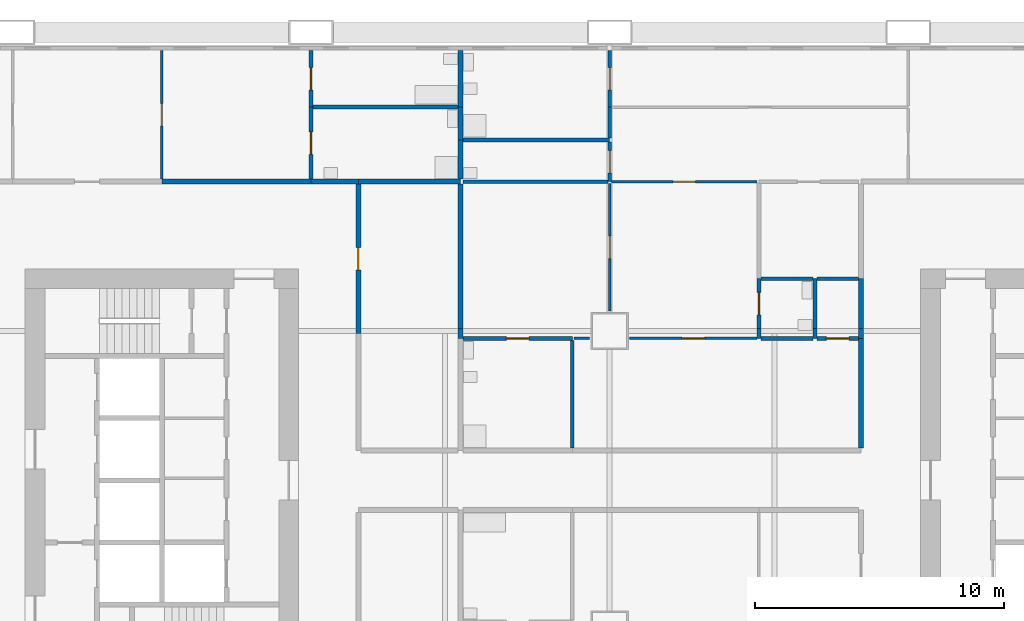
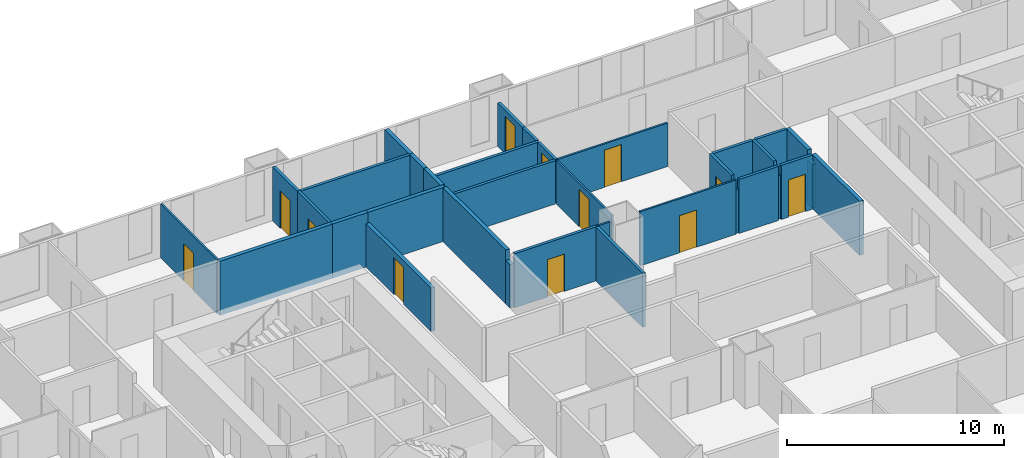
# One storey, part 9 of 14: 35 walls, 12 doors, 12 openings.
"""IFC4 building model written with IfcOpenShell, lengths in metres."""

from ifc_helpers import new_model, si_unit, direction, frame, frame_2d, origin, place, context, subcontext, project, spatial, rectangle, extrude, material, layer, layer_set, type_object, element, fill, save


model = new_model("IFC4")

# Units and contexts
model_context = context("Model", 3, precision=1e-05, world=origin(), true_north=direction((0.0, 1.0)))
body_context = subcontext(model_context, "Body", "Model", "MODEL_VIEW")
ifc_project = project(units=[si_unit("LENGTHUNIT", "METRE"), si_unit("AREAUNIT", "SQUARE_METRE"), si_unit("VOLUMEUNIT", "CUBIC_METRE"), si_unit("PLANEANGLEUNIT", "RADIAN"), si_unit("MASSUNIT", "GRAM", prefix="KILO")], contexts=[model_context])

# Site, building, storey
site_placement = place(None, origin())
site = spatial("IfcSite", under=ifc_project, at=site_placement, CompositionType="ELEMENT")
building_placement = place(site_placement, origin())
building = spatial("IfcBuilding", under=site, at=building_placement, Name="Kitamizu Gate Tower and Museum", CompositionType="ELEMENT")
storey_placement = place(building_placement, frame((0.0, 0.0, 43.800048828125)))
storey = spatial("IfcBuildingStorey", under=building, at=storey_placement, Name="L09", CompositionType="ELEMENT", Elevation=43.800048828125)

# Wall, opening, door
ifc_material_1 = material(Name="Gypsum board on galvanised stud")
ifc_layer_1 = layer(ifc_material_1, 0.10009765625)
ifc_layer_set_1 = layer_set([ifc_layer_1], Name="Gypsum board on galvanised stud")
wall_type_1 = type_object("IfcWallType", Name="Partition 100 NOT RATED", PredefinedType="PARTITIONING", material=ifc_layer_set_1)
wall_1_placement = place(storey_placement, frame((18.0, 42.10009765625, 0.0), z_axis=(0.0, 0.0, 1.0), x_axis=(0.0, 1.0, 0.0)))
wall_1 = element("IfcWall", 1, at=wall_1_placement, inside=storey, type_object=wall_type_1, Name="Partition L09-117", PredefinedType="PARTITIONING", context=body_context, shape_type="SweptSolid", body=[
    extrude(rectangle(XDim=5.179931640625, YDim=0.10009765625, at=frame_2d((2.58984375, 0.0))), origin(), (0.0, 0.0, 1.0), 3.050048828125),
])
opening_1_placement = place(wall_1_placement, frame((2.139892578125, 0.0, 0.0)))
opening_1 = element("IfcOpeningElement", 2, at=opening_1_placement, cuts=wall_1, Name="Opening L09-044", PredefinedType="OPENING", context=body_context, shape_type="SweptSolid", body=[
    extrude(rectangle(XDim=0.89990234375, YDim=2.10009765625, at=frame_2d((0.449951171875, 1.050048828125))), frame((0.0, 0.06005859375, 0.0), z_axis=(0.0, -1.0, 0.0), x_axis=(1.0, 0.0, 0.0)), (0.0, 0.0, 1.0), 0.1201171875),
])
ifc_material_2 = material(Name="Timber door set", Category="wood")
door_type_1 = type_object("IfcDoorType", Name="Room door 900", OperationType="NOTDEFINED", PredefinedType="DOOR", material=ifc_material_2)
door_1_placement = place(opening_1_placement, frame((0.89990234375, 0.0, 0.0), x_axis=(-1.0, 0.0, 0.0)))
door_1 = element("IfcDoor", 3, at=door_1_placement, inside=storey, type_object=door_type_1, Name="Door L09-044", OperationType="SINGLE_SWING_LEFT", OverallHeight=2.10009765625, OverallWidth=0.89990234375, PredefinedType="DOOR", context=body_context, shape_type="SweptSolid", body=[
    extrude(rectangle(XDim=0.89990234375, YDim=2.10009765625, at=frame_2d((0.449951171875, 1.050048828125))), frame((0.0, 0.02490234375, 0.0), z_axis=(0.0, -1.0, 0.0), x_axis=(1.0, 0.0, 0.0)), (0.0, 0.0, 1.0), 0.050048828125),
])
fill(opening_1, door_1)

wall_2_placement = place(storey_placement, frame((36.074951171875, 42.0, 0.0), z_axis=(0.0, 0.0, 1.0), x_axis=(1.0, 0.0, 0.0)))
wall_2 = element("IfcWall", 4, at=wall_2_placement, inside=storey, type_object=wall_type_1, Name="Partition L09-160", PredefinedType="PARTITIONING", context=body_context, shape_type="SweptSolid", body=[
    extrude(rectangle(XDim=5.85009765625, YDim=0.10009765625, at=frame_2d((2.925048828125, 0.0))), origin(), (0.0, 0.0, 1.0), 2.449951171875),
])
opening_2_placement = place(wall_2_placement, frame((2.47509765625, 0.0, 0.0)))
opening_2 = element("IfcOpeningElement", 5, at=opening_2_placement, cuts=wall_2, Name="Opening L09-060", PredefinedType="OPENING", context=body_context, shape_type="SweptSolid", body=[
    extrude(rectangle(XDim=0.89990234375, YDim=2.10009765625, at=frame_2d((0.449951171875, 1.050048828125))), frame((0.0, 0.06005859375, 0.0), z_axis=(0.0, -1.0, 0.0), x_axis=(1.0, 0.0, 0.0)), (0.0, 0.0, 1.0), 0.1201171875),
])
door_2_placement = place(opening_2_placement, origin())
door_2 = element("IfcDoor", 6, at=door_2_placement, inside=storey, type_object=door_type_1, Name="Door L09-060", OperationType="SINGLE_SWING_LEFT", OverallHeight=2.10009765625, OverallWidth=0.89990234375, PredefinedType="DOOR", context=body_context, shape_type="SweptSolid", body=[
    extrude(rectangle(XDim=0.89990234375, YDim=2.10009765625, at=frame_2d((0.449951171875, 1.050048828125))), frame((0.0, 0.02490234375, 0.0), z_axis=(0.0, -1.0, 0.0), x_axis=(1.0, 0.0, 0.0)), (0.0, 0.0, 1.0), 0.050048828125),
])
fill(opening_2, door_2)

wall_3_placement = place(storey_placement, frame((36.0, 36.800048828125, 0.0), z_axis=(0.0, 0.0, 1.0), x_axis=(0.0, 1.0, 0.0)))
wall_3 = element("IfcWall", 7, at=wall_3_placement, inside=storey, type_object=wall_type_1, Name="Partition L09-170", PredefinedType="PARTITIONING", context=body_context, shape_type="SweptSolid", body=[
    extrude(rectangle(XDim=5.125, YDim=0.10009765625, at=frame_2d((2.5625, 0.0))), origin(), (0.0, 0.0, 1.0), 2.449951171875),
])
opening_3_placement = place(wall_3_placement, frame((2.112548828125, 0.0, 0.0)))
opening_3 = element("IfcOpeningElement", 8, at=opening_3_placement, cuts=wall_3, Name="Opening L09-066", PredefinedType="OPENING", context=body_context, shape_type="SweptSolid", body=[
    extrude(rectangle(XDim=0.89990234375, YDim=2.10009765625, at=frame_2d((0.449951171875, 1.050048828125))), frame((0.0, 0.06005859375, 0.0), z_axis=(0.0, -1.0, 0.0), x_axis=(1.0, 0.0, 0.0)), (0.0, 0.0, 1.0), 0.1201171875),
])
door_3_placement = place(opening_3_placement, origin())
door_3 = element("IfcDoor", 9, at=door_3_placement, inside=storey, type_object=door_type_1, Name="Door L09-066", OperationType="SINGLE_SWING_LEFT", OverallHeight=2.10009765625, OverallWidth=0.89990234375, PredefinedType="DOOR", context=body_context, shape_type="SweptSolid", body=[
    extrude(rectangle(XDim=0.89990234375, YDim=2.10009765625, at=frame_2d((0.449951171875, 1.050048828125))), frame((0.0, 0.02490234375, 0.0), z_axis=(0.0, -1.0, 0.0), x_axis=(1.0, 0.0, 0.0)), (0.0, 0.0, 1.0), 0.050048828125),
])
fill(opening_3, door_3)

# Wall
wall_4_placement = place(storey_placement, frame((34.574951171875, 35.699951171875, 0.0), z_axis=(0.0, 0.0, 1.0), x_axis=(1.0, 0.0, 0.0)))
element("IfcWall", 10, at=wall_4_placement, inside=storey, type_object=wall_type_1, Name="Partition L09-172", PredefinedType="PARTITIONING", context=body_context, shape_type="SweptSolid", body=[
    extrude(rectangle(XDim=0.625, YDim=0.10009765625, at=frame_2d((0.3125, 0.0))), origin(), (0.0, 0.0, 1.0), 3.050048828125),
])

# Wall, opening, door
wall_5_placement = place(storey_placement, frame((36.800048828125, 35.699951171875, 0.0), z_axis=(0.0, 0.0, 1.0), x_axis=(1.0, 0.0, 0.0)))
wall_5 = element("IfcWall", 11, at=wall_5_placement, inside=storey, type_object=wall_type_1, Name="Partition L09-176", PredefinedType="PARTITIONING", context=body_context, shape_type="SweptSolid", body=[
    extrude(rectangle(XDim=5.125, YDim=0.10009765625, at=frame_2d((2.5625, 0.0))), origin(), (0.0, 0.0, 1.0), 3.050048828125),
])
opening_4_placement = place(wall_5_placement, frame((2.112548828125, 0.0, 0.0)))
opening_4 = element("IfcOpeningElement", 12, at=opening_4_placement, cuts=wall_5, Name="Opening L09-063", PredefinedType="OPENING", context=body_context, shape_type="SweptSolid", body=[
    extrude(rectangle(XDim=0.89990234375, YDim=2.10009765625, at=frame_2d((0.449951171875, 1.050048828125))), frame((0.0, 0.06005859375, 0.0), z_axis=(0.0, -1.0, 0.0), x_axis=(1.0, 0.0, 0.0)), (0.0, 0.0, 1.0), 0.1201171875),
])
door_4_placement = place(opening_4_placement, origin())
door_4 = element("IfcDoor", 13, at=door_4_placement, inside=storey, type_object=door_type_1, Name="Door L09-063", OperationType="SINGLE_SWING_LEFT", OverallHeight=2.10009765625, OverallWidth=0.89990234375, PredefinedType="DOOR", context=body_context, shape_type="SweptSolid", body=[
    extrude(rectangle(XDim=0.89990234375, YDim=2.10009765625, at=frame_2d((0.449951171875, 1.050048828125))), frame((0.0, 0.02490234375, 0.0), z_axis=(0.0, -1.0, 0.0), x_axis=(1.0, 0.0, 0.0)), (0.0, 0.0, 1.0), 0.050048828125),
])
fill(opening_4, door_4)

ifc_material_3 = material(Name="Gypsum board on galvanised stud")
ifc_layer_2 = layer(ifc_material_3, 0.14990234375)
ifc_layer_set_2 = layer_set([ifc_layer_2], Name="Gypsum board on galvanised stud")
wall_type_2 = type_object("IfcWallType", Name="Partition 150", PredefinedType="PARTITIONING", material=ifc_layer_set_2)
wall_6_placement = place(storey_placement, frame((24.0, 42.10009765625, 0.0), z_axis=(0.0, 0.0, 1.0), x_axis=(0.0, 1.0, 0.0)))
wall_6 = element("IfcWall", 14, at=wall_6_placement, inside=storey, type_object=wall_type_2, Name="Partition L09-119", PredefinedType="PARTITIONING", context=body_context, shape_type="SweptSolid", body=[
    extrude(rectangle(XDim=2.89990234375, YDim=0.14990234375, at=frame_2d((1.449951171875, 0.0))), origin(), (0.0, 0.0, 1.0), 3.050048828125),
])
opening_5_placement = place(wall_6_placement, frame((1.0, 0.0, 0.0)))
opening_5 = element("IfcOpeningElement", 15, at=opening_5_placement, cuts=wall_6, Name="Opening L09-045", PredefinedType="OPENING", context=body_context, shape_type="SweptSolid", body=[
    extrude(rectangle(XDim=0.89990234375, YDim=2.10009765625, at=frame_2d((0.449951171875, 1.050048828125))), frame((0.0, 0.0849609375, 0.0), z_axis=(0.0, -1.0, 0.0), x_axis=(1.0, 0.0, 0.0)), (0.0, 0.0, 1.0), 0.169921875),
])
ifc_material_4 = material(Name="Timber door set", Category="wood")
door_type_2 = type_object("IfcDoorType", Name="Bathroom door 900", OperationType="NOTDEFINED", PredefinedType="DOOR", material=ifc_material_4)
door_5_placement = place(opening_5_placement, frame((0.89990234375, 0.0, 0.0), x_axis=(-1.0, 0.0, 0.0)))
door_5 = element("IfcDoor", 16, at=door_5_placement, inside=storey, type_object=door_type_2, Name="Bathroom door L09-045", OperationType="SINGLE_SWING_RIGHT", OverallHeight=2.10009765625, OverallWidth=0.89990234375, PredefinedType="DOOR", context=body_context, shape_type="SweptSolid", body=[
    extrude(rectangle(XDim=0.89990234375, YDim=2.10009765625, at=frame_2d((0.449951171875, 1.050048828125))), frame((0.0, 0.02490234375, 0.0), z_axis=(0.0, -1.0, 0.0), x_axis=(1.0, 0.0, 0.0)), (0.0, 0.0, 1.0), 0.050048828125),
])
fill(opening_5, door_5)

wall_7_placement = place(storey_placement, frame((24.0, 45.0, 0.0), z_axis=(0.0, 0.0, 1.0), x_axis=(0.0, 1.0, 0.0)))
wall_7 = element("IfcWall", 17, at=wall_7_placement, inside=storey, type_object=wall_type_2, Name="Partition L09-120", PredefinedType="PARTITIONING", context=body_context, shape_type="SweptSolid", body=[
    extrude(rectangle(XDim=2.280029296875, YDim=0.14990234375, at=frame_2d((1.14013671875, 0.0))), origin(), (0.0, 0.0, 1.0), 3.050048828125),
])
opening_6_placement = place(wall_7_placement, frame((0.68994140625, 0.0, 0.0)))
opening_6 = element("IfcOpeningElement", 18, at=opening_6_placement, cuts=wall_7, Name="Opening L09-046", PredefinedType="OPENING", context=body_context, shape_type="SweptSolid", body=[
    extrude(rectangle(XDim=0.89990234375, YDim=2.10009765625, at=frame_2d((0.449951171875, 1.050048828125))), frame((0.0, 0.0849609375, 0.0), z_axis=(0.0, -1.0, 0.0), x_axis=(1.0, 0.0, 0.0)), (0.0, 0.0, 1.0), 0.169921875),
])
door_6_placement = place(opening_6_placement, frame((0.89990234375, 0.0, 0.0), x_axis=(-1.0, 0.0, 0.0)))
door_6 = element("IfcDoor", 19, at=door_6_placement, inside=storey, type_object=door_type_2, Name="Bathroom door L09-046", OperationType="SINGLE_SWING_LEFT", OverallHeight=2.10009765625, OverallWidth=0.89990234375, PredefinedType="DOOR", context=body_context, shape_type="SweptSolid", body=[
    extrude(rectangle(XDim=0.89990234375, YDim=2.10009765625, at=frame_2d((0.449951171875, 1.050048828125))), frame((0.0, 0.02490234375, 0.0), z_axis=(0.0, -1.0, 0.0), x_axis=(1.0, 0.0, 0.0)), (0.0, 0.0, 1.0), 0.050048828125),
])
fill(opening_6, door_6)

# Walls
wall_8_placement = place(storey_placement, frame((29.89990234375, 45.0, 0.0), z_axis=(0.0, 0.0, 1.0), x_axis=(-1.0, 0.0, 0.0)))
element("IfcWall", 20, at=wall_8_placement, inside=storey, type_object=wall_type_2, Name="Partition L09-122", PredefinedType="PARTITIONING", context=body_context, shape_type="SweptSolid", body=[
    extrude(rectangle(XDim=5.824951171875, YDim=0.14990234375, at=frame_2d((2.91259765625, 0.0))), origin(), (0.0, 0.0, 1.0), 3.050048828125),
])
wall_9_placement = place(storey_placement, frame((30.10009765625, 43.679931640625, 0.0), z_axis=(0.0, 0.0, 1.0), x_axis=(1.0, 0.0, 0.0)))
element("IfcWall", 21, at=wall_9_placement, inside=storey, type_object=wall_type_2, Name="Partition L09-153", PredefinedType="PARTITIONING", context=body_context, shape_type="SweptSolid", body=[
    extrude(rectangle(XDim=5.89990234375, YDim=0.14990234375, at=frame_2d((2.949951171875, 0.0))), origin(), (0.0, 0.0, 1.0), 2.449951171875),
])
wall_10_placement = place(storey_placement, frame((36.0, 43.7548828125, 0.0), z_axis=(0.0, 0.0, 1.0), x_axis=(0.0, 1.0, 0.0)))
element("IfcWall", 22, at=wall_10_placement, inside=storey, type_object=wall_type_2, Name="Partition L09-154", PredefinedType="PARTITIONING", context=body_context, shape_type="SweptSolid", body=[
    extrude(rectangle(XDim=1.2451171875, YDim=0.14990234375, at=frame_2d((0.62255859375, 0.0))), origin(), (0.0, 0.0, 1.0), 2.449951171875),
])

# Wall, opening, door
wall_11_placement = place(storey_placement, frame((36.0, 45.0, 0.0), z_axis=(0.0, 0.0, 1.0), x_axis=(0.0, 1.0, 0.0)))
wall_11 = element("IfcWall", 23, at=wall_11_placement, inside=storey, type_object=wall_type_2, Name="Partition L09-155", PredefinedType="PARTITIONING", context=body_context, shape_type="SweptSolid", body=[
    extrude(rectangle(XDim=2.280029296875, YDim=0.14990234375, at=frame_2d((1.14013671875, 0.0))), origin(), (0.0, 0.0, 1.0), 2.449951171875),
])
opening_7_placement = place(wall_11_placement, frame((0.68994140625, 0.0, 0.0)))
opening_7 = element("IfcOpeningElement", 24, at=opening_7_placement, cuts=wall_11, Name="Opening L09-064", PredefinedType="OPENING", context=body_context, shape_type="SweptSolid", body=[
    extrude(rectangle(XDim=0.89990234375, YDim=2.10009765625, at=frame_2d((0.449951171875, 1.050048828125))), frame((0.0, 0.0849609375, 0.0), z_axis=(0.0, -1.0, 0.0), x_axis=(1.0, 0.0, 0.0)), (0.0, 0.0, 1.0), 0.169921875),
])
door_7_placement = place(opening_7_placement, origin())
door_7 = element("IfcDoor", 25, at=door_7_placement, inside=storey, type_object=door_type_2, Name="Bathroom door L09-064", OperationType="SINGLE_SWING_LEFT", OverallHeight=2.10009765625, OverallWidth=0.89990234375, PredefinedType="DOOR", context=body_context, shape_type="SweptSolid", body=[
    extrude(rectangle(XDim=0.89990234375, YDim=2.10009765625, at=frame_2d((0.449951171875, 1.050048828125))), frame((0.0, 0.02490234375, 0.0), z_axis=(0.0, -1.0, 0.0), x_axis=(1.0, 0.0, 0.0)), (0.0, 0.0, 1.0), 0.050048828125),
])
fill(opening_7, door_7)

wall_12_placement = place(storey_placement, frame((36.0, 42.0, 0.0), z_axis=(0.0, 0.0, 1.0), x_axis=(0.0, 1.0, 0.0)))
wall_12 = element("IfcWall", 26, at=wall_12_placement, inside=storey, type_object=wall_type_2, Name="Partition L09-156", PredefinedType="PARTITIONING", context=body_context, shape_type="SweptSolid", body=[
    extrude(rectangle(XDim=1.60498046875, YDim=0.14990234375, at=frame_2d((0.802490234375, 0.0))), origin(), (0.0, 0.0, 1.0), 2.449951171875),
])
opening_8_placement = place(wall_12_placement, frame((0.3525390625, 0.0, 0.0)))
opening_8 = element("IfcOpeningElement", 27, at=opening_8_placement, cuts=wall_12, Name="Opening L09-065", PredefinedType="OPENING", context=body_context, shape_type="SweptSolid", body=[
    extrude(rectangle(XDim=0.89990234375, YDim=2.10009765625, at=frame_2d((0.449951171875, 1.050048828125))), frame((0.0, 0.0849609375, 0.0), z_axis=(0.0, -1.0, 0.0), x_axis=(1.0, 0.0, 0.0)), (0.0, 0.0, 1.0), 0.169921875),
])
door_8_placement = place(opening_8_placement, origin())
door_8 = element("IfcDoor", 28, at=door_8_placement, inside=storey, type_object=door_type_2, Name="Bathroom door L09-065", OperationType="SINGLE_SWING_RIGHT", OverallHeight=2.10009765625, OverallWidth=0.89990234375, PredefinedType="DOOR", context=body_context, shape_type="SweptSolid", body=[
    extrude(rectangle(XDim=0.89990234375, YDim=2.10009765625, at=frame_2d((0.449951171875, 1.050048828125))), frame((0.0, 0.02490234375, 0.0), z_axis=(0.0, -1.0, 0.0), x_axis=(1.0, 0.0, 0.0)), (0.0, 0.0, 1.0), 0.050048828125),
])
fill(opening_8, door_8)

# Wall
wall_13_placement = place(storey_placement, frame((30.10009765625, 42.0, 0.0), z_axis=(0.0, 0.0, 1.0), x_axis=(1.0, 0.0, 0.0)))
element("IfcWall", 29, at=wall_13_placement, inside=storey, type_object=wall_type_2, Name="Partition L09-157", PredefinedType="PARTITIONING", context=body_context, shape_type="SweptSolid", body=[
    extrude(rectangle(XDim=5.824951171875, YDim=0.14990234375, at=frame_2d((2.91259765625, 0.0))), origin(), (0.0, 0.0, 1.0), 2.449951171875),
])

# Wall, opening, door
wall_14_placement = place(storey_placement, frame((30.10009765625, 35.699951171875, 0.0), z_axis=(0.0, 0.0, 1.0), x_axis=(1.0, 0.0, 0.0)))
wall_14 = element("IfcWall", 30, at=wall_14_placement, inside=storey, type_object=wall_type_2, Name="Partition L09-171", PredefinedType="PARTITIONING", context=body_context, shape_type="SweptSolid", body=[
    extrude(rectangle(XDim=4.39990234375, YDim=0.14990234375, at=frame_2d((2.199951171875, 0.0))), origin(), (0.0, 0.0, 1.0), 3.050048828125),
])
opening_9_placement = place(wall_14_placement, frame((1.75, 0.0, 0.0)))
opening_9 = element("IfcOpeningElement", 31, at=opening_9_placement, cuts=wall_14, Name="Opening L09-068", PredefinedType="OPENING", context=body_context, shape_type="SweptSolid", body=[
    extrude(rectangle(XDim=0.89990234375, YDim=2.10009765625, at=frame_2d((0.449951171875, 1.050048828125))), frame((0.0, 0.0849609375, 0.0), z_axis=(0.0, -1.0, 0.0), x_axis=(1.0, 0.0, 0.0)), (0.0, 0.0, 1.0), 0.169921875),
])
door_9_placement = place(opening_9_placement, frame((0.89990234375, 0.0, 0.0), x_axis=(-1.0, 0.0, 0.0)))
door_9 = element("IfcDoor", 32, at=door_9_placement, inside=storey, type_object=door_type_2, Name="Bathroom door L09-068", OperationType="SINGLE_SWING_RIGHT", OverallHeight=2.10009765625, OverallWidth=0.89990234375, PredefinedType="DOOR", context=body_context, shape_type="SweptSolid", body=[
    extrude(rectangle(XDim=0.89990234375, YDim=2.10009765625, at=frame_2d((0.449951171875, 1.050048828125))), frame((0.0, 0.02490234375, 0.0), z_axis=(0.0, -1.0, 0.0), x_axis=(1.0, 0.0, 0.0)), (0.0, 0.0, 1.0), 0.050048828125),
])
fill(opening_9, door_9)

# Wall
wall_15_placement = place(storey_placement, frame((42.0, 35.699951171875, 0.0), z_axis=(0.0, 0.0, 1.0), x_axis=(0.0, 1.0, 0.0)))
element("IfcWall", 33, at=wall_15_placement, inside=storey, type_object=wall_type_2, Name="Partition L09-173", PredefinedType="PARTITIONING", context=body_context, shape_type="SweptSolid", body=[
    extrude(rectangle(XDim=0.400146484375, YDim=0.14990234375, at=frame_2d((0.2001953125, 0.0))), origin(), (0.0, 0.0, 1.0), 2.449951171875),
])

# Wall, opening, door
wall_16_placement = place(storey_placement, frame((42.0, 36.10009765625, 0.0), z_axis=(0.0, 0.0, 1.0), x_axis=(0.0, 1.0, 0.0)))
wall_16 = element("IfcWall", 34, at=wall_16_placement, inside=storey, type_object=wall_type_2, Name="Partition L09-174", PredefinedType="PARTITIONING", context=body_context, shape_type="SweptSolid", body=[
    extrude(rectangle(XDim=2.0, YDim=0.14990234375, at=frame_2d((1.0, 0.0))), origin(), (0.0, 0.0, 1.0), 3.050048828125),
])
opening_10_placement = place(wall_16_placement, frame((0.550048828125, 0.0, 0.0)))
opening_10 = element("IfcOpeningElement", 35, at=opening_10_placement, cuts=wall_16, Name="Opening L09-061", PredefinedType="OPENING", context=body_context, shape_type="SweptSolid", body=[
    extrude(rectangle(XDim=0.89990234375, YDim=2.10009765625, at=frame_2d((0.449951171875, 1.050048828125))), frame((0.0, 0.0849609375, 0.0), z_axis=(0.0, -1.0, 0.0), x_axis=(1.0, 0.0, 0.0)), (0.0, 0.0, 1.0), 0.169921875),
])
door_10_placement = place(opening_10_placement, frame((0.89990234375, 0.0, 0.0), x_axis=(-1.0, 0.0, 0.0)))
door_10 = element("IfcDoor", 36, at=door_10_placement, inside=storey, type_object=door_type_2, Name="Bathroom door L09-061", OperationType="SINGLE_SWING_RIGHT", OverallHeight=2.10009765625, OverallWidth=0.89990234375, PredefinedType="DOOR", context=body_context, shape_type="SweptSolid", body=[
    extrude(rectangle(XDim=0.89990234375, YDim=2.10009765625, at=frame_2d((0.449951171875, 1.050048828125))), frame((0.0, 0.02490234375, 0.0), z_axis=(0.0, -1.0, 0.0), x_axis=(1.0, 0.0, 0.0)), (0.0, 0.0, 1.0), 0.050048828125),
])
fill(opening_10, door_10)

# Walls
wall_17_placement = place(storey_placement, frame((44.25, 35.699951171875, 0.0), z_axis=(0.0, 0.0, 1.0), x_axis=(0.0, 1.0, 0.0)))
element("IfcWall", 37, at=wall_17_placement, inside=storey, type_object=wall_type_2, Name="Partition L09-177", PredefinedType="PARTITIONING", context=body_context, shape_type="SweptSolid", body=[
    extrude(rectangle(XDim=0.400146484375, YDim=0.14990234375, at=frame_2d((0.2001953125, 0.0))), origin(), (0.0, 0.0, 1.0), 2.449951171875),
])
wall_18_placement = place(storey_placement, frame((44.25, 36.10009765625, 0.0), z_axis=(0.0, 0.0, 1.0), x_axis=(0.0, 1.0, 0.0)))
element("IfcWall", 38, at=wall_18_placement, inside=storey, type_object=wall_type_2, Name="Partition L09-178", PredefinedType="PARTITIONING", context=body_context, shape_type="SweptSolid", body=[
    extrude(rectangle(XDim=2.0, YDim=0.14990234375, at=frame_2d((1.0, 0.0))), origin(), (0.0, 0.0, 1.0), 3.050048828125),
])
for number, where, z_axis, x_axis, name in (
    (39, (44.175048828125, 38.10009765625, 0.0), (0.0, 0.0, 1.0), (-1.0, 0.0, 0.0), "Partition L09-179"),
    (40, (42.074951171875, 35.699951171875, 0.0), (0.0, 0.0, 1.0), (1.0, 0.0, 0.0), "Partition L09-180"),
):
    element("IfcWall", number, at=place(storey_placement, frame(where, z_axis=z_axis, x_axis=x_axis)), inside=storey, type_object=wall_type_2, Name=name, PredefinedType="PARTITIONING", context=body_context, shape_type="SweptSolid", body=[
        extrude(rectangle(XDim=2.10009765625, YDim=0.14990234375, at=frame_2d((1.050048828125, 0.0))), origin(), (0.0, 0.0, 1.0), 3.050048828125),
    ])
wall_19_placement = place(storey_placement, frame((46.0, 38.10009765625, 0.0), z_axis=(0.0, 0.0, 1.0), x_axis=(-1.0, 0.0, 0.0)))
element("IfcWall", 41, at=wall_19_placement, inside=storey, type_object=wall_type_2, Name="Partition L09-181", PredefinedType="PARTITIONING", context=body_context, shape_type="SweptSolid", body=[
    extrude(rectangle(XDim=1.675048828125, YDim=0.14990234375, at=frame_2d((0.83740234375, 0.0))), origin(), (0.0, 0.0, 1.0), 3.050048828125),
])

# Wall, opening, door
wall_20_placement = place(storey_placement, frame((44.324951171875, 35.699951171875, 0.0), z_axis=(0.0, 0.0, 1.0), x_axis=(1.0, 0.0, 0.0)))
wall_20 = element("IfcWall", 42, at=wall_20_placement, inside=storey, type_object=wall_type_2, Name="Partition L09-182", PredefinedType="PARTITIONING", context=body_context, shape_type="SweptSolid", body=[
    extrude(rectangle(XDim=1.675048828125, YDim=0.14990234375, at=frame_2d((0.83740234375, 0.0))), origin(), (0.0, 0.0, 1.0), 3.050048828125),
])
opening_11_placement = place(wall_20_placement, frame((0.387451171875, 0.0, 0.0)))
opening_11 = element("IfcOpeningElement", 43, at=opening_11_placement, cuts=wall_20, Name="Opening L09-067", PredefinedType="OPENING", context=body_context, shape_type="SweptSolid", body=[
    extrude(rectangle(XDim=0.89990234375, YDim=2.10009765625, at=frame_2d((0.449951171875, 1.050048828125))), frame((0.0, 0.0849609375, 0.0), z_axis=(0.0, -1.0, 0.0), x_axis=(1.0, 0.0, 0.0)), (0.0, 0.0, 1.0), 0.169921875),
])
door_11_placement = place(opening_11_placement, origin())
door_11 = element("IfcDoor", 44, at=door_11_placement, inside=storey, type_object=door_type_2, Name="Bathroom door L09-067", OperationType="SINGLE_SWING_RIGHT", OverallHeight=2.10009765625, OverallWidth=0.89990234375, PredefinedType="DOOR", context=body_context, shape_type="SweptSolid", body=[
    extrude(rectangle(XDim=0.89990234375, YDim=2.10009765625, at=frame_2d((0.449951171875, 1.050048828125))), frame((0.0, 0.02490234375, 0.0), z_axis=(0.0, -1.0, 0.0), x_axis=(1.0, 0.0, 0.0)), (0.0, 0.0, 1.0), 0.050048828125),
])
fill(opening_11, door_11)

# Walls
wall_21_placement = place(storey_placement, frame((34.5, 31.300048828125, 0.0), z_axis=(0.0, 0.0, 1.0), x_axis=(0.0, 1.0, 0.0)))
element("IfcWall", 45, at=wall_21_placement, inside=storey, type_object=wall_type_2, Name="Partition L09-186", PredefinedType="PARTITIONING", context=body_context, shape_type="SweptSolid", body=[
    extrude(rectangle(XDim=4.324951171875, YDim=0.14990234375, at=frame_2d((2.16259765625, 0.0))), origin(), (0.0, 0.0, 1.0), 3.050048828125),
])
ifc_material_5 = material(Name="Gypsum board on galvanised stud")
ifc_layer_3 = layer(ifc_material_5, 0.199951171875)
ifc_layer_set_3 = layer_set([ifc_layer_3], Name="Gypsum board on galvanised stud")
wall_type_3 = type_object("IfcWallType", Name="Partition 200", PredefinedType="PARTITIONING", material=ifc_layer_set_3)
wall_22_placement = place(storey_placement, frame((18.0, 42.0, 0.0), z_axis=(0.0, 0.0, 1.0), x_axis=(1.0, 0.0, 0.0)))
element("IfcWall", 46, at=wall_22_placement, inside=storey, type_object=wall_type_3, Name="Partition L09-121", PredefinedType="PARTITIONING", context=body_context, shape_type="SweptSolid", body=[
    extrude(rectangle(XDim=6.0, YDim=0.199951171875, at=frame_2d((3.0, 0.0))), origin(), (0.0, 0.0, 1.0), 3.050048828125),
])
wall_23_placement = place(storey_placement, frame((25.89990234375, 42.0, 0.0), z_axis=(0.0, 0.0, 1.0), x_axis=(1.0, 0.0, 0.0)))
element("IfcWall", 47, at=wall_23_placement, inside=storey, type_object=wall_type_3, Name="Partition L09-123", PredefinedType="PARTITIONING", context=body_context, shape_type="SweptSolid", body=[
    extrude(rectangle(XDim=4.10009765625, YDim=0.199951171875, at=frame_2d((2.050048828125, 0.0))), origin(), (0.0, 0.0, 1.0), 3.050048828125),
])
wall_24_placement = place(storey_placement, frame((30.0, 43.679931640625, 0.0), z_axis=(0.0, 0.0, 1.0), x_axis=(0.0, 1.0, 0.0)))
element("IfcWall", 48, at=wall_24_placement, inside=storey, type_object=wall_type_3, Name="Partition L09-124", PredefinedType="PARTITIONING", context=body_context, shape_type="SweptSolid", body=[
    extrude(rectangle(XDim=1.320068359375, YDim=0.199951171875, at=frame_2d((0.66015625, 0.0))), origin(), (0.0, 0.0, 1.0), 3.050048828125),
])
wall_25_placement = place(storey_placement, frame((30.0, 42.10009765625, 0.0), z_axis=(0.0, 0.0, 1.0), x_axis=(0.0, 1.0, 0.0)))
element("IfcWall", 49, at=wall_25_placement, inside=storey, type_object=wall_type_3, Name="Partition L09-125", PredefinedType="PARTITIONING", context=body_context, shape_type="SweptSolid", body=[
    extrude(rectangle(XDim=1.579833984375, YDim=0.199951171875, at=frame_2d((0.7900390625, 0.0))), origin(), (0.0, 0.0, 1.0), 3.050048828125),
])
wall_26_placement = place(storey_placement, frame((24.0, 42.0, 0.0), z_axis=(0.0, 0.0, 1.0), x_axis=(1.0, 0.0, 0.0)))
element("IfcWall", 50, at=wall_26_placement, inside=storey, type_object=wall_type_3, Name="Partition L09-126", PredefinedType="PARTITIONING", context=body_context, shape_type="SweptSolid", body=[
    extrude(rectangle(XDim=1.89990234375, YDim=0.199951171875, at=frame_2d((0.949951171875, 0.0))), origin(), (0.0, 0.0, 1.0), 3.050048828125),
])
wall_27_placement = place(storey_placement, frame((30.0, 45.0, 0.0), z_axis=(0.0, 0.0, 1.0), x_axis=(0.0, 1.0, 0.0)))
element("IfcWall", 51, at=wall_27_placement, inside=storey, type_object=wall_type_3, Name="Partition L09-127", PredefinedType="PARTITIONING", context=body_context, shape_type="SweptSolid", body=[
    extrude(rectangle(XDim=2.280029296875, YDim=0.199951171875, at=frame_2d((1.14013671875, 0.0))), origin(), (0.0, 0.0, 1.0), 3.050048828125),
])
wall_28_placement = place(storey_placement, frame((30.0, 35.699951171875, 0.0), z_axis=(0.0, 0.0, 1.0), x_axis=(0.0, 1.0, 0.0)))
element("IfcWall", 52, at=wall_28_placement, inside=storey, type_object=wall_type_3, Name="Partition L09-128", PredefinedType="PARTITIONING", context=body_context, shape_type="SweptSolid", body=[
    extrude(rectangle(XDim=0.400146484375, YDim=0.199951171875, at=frame_2d((0.2001953125, 0.0))), origin(), (0.0, 0.0, 1.0), 2.449951171875),
])
wall_29_placement = place(storey_placement, frame((30.0, 36.10009765625, 0.0), z_axis=(0.0, 0.0, 1.0), x_axis=(0.0, 1.0, 0.0)))
element("IfcWall", 53, at=wall_29_placement, inside=storey, type_object=wall_type_3, Name="Partition L09-129", PredefinedType="PARTITIONING", context=body_context, shape_type="SweptSolid", body=[
    extrude(rectangle(XDim=5.7998046875, YDim=0.199951171875, at=frame_2d((2.89990234375, 0.0))), origin(), (0.0, 0.0, 1.0), 3.050048828125),
])

# Wall, opening, door
wall_30_placement = place(storey_placement, frame((25.89990234375, 41.89990234375, 0.0), z_axis=(0.0, 0.0, 1.0), x_axis=(0.0, -1.0, 0.0)))
wall_30 = element("IfcWall", 54, at=wall_30_placement, inside=storey, type_object=wall_type_3, Name="Partition L09-131", PredefinedType="PARTITIONING", context=body_context, shape_type="SweptSolid", body=[
    extrude(rectangle(XDim=6.0, YDim=0.199951171875, at=frame_2d((3.0, 0.0))), origin(), (0.0, 0.0, 1.0), 2.449951171875),
])
opening_12_placement = place(wall_30_placement, frame((2.550048828125, 0.0, 0.0)))
opening_12 = element("IfcOpeningElement", 55, at=opening_12_placement, cuts=wall_30, Name="Opening L09-078", PredefinedType="OPENING", context=body_context, shape_type="SweptSolid", body=[
    extrude(rectangle(XDim=0.89990234375, YDim=2.10009765625, at=frame_2d((0.449951171875, 1.050048828125))), frame((0.0, 0.10986328125, 0.0), z_axis=(0.0, -1.0, 0.0), x_axis=(1.0, 0.0, 0.0)), (0.0, 0.0, 1.0), 0.219970703125),
])
door_12_placement = place(opening_12_placement, origin())
door_12 = element("IfcDoor", 56, at=door_12_placement, inside=storey, type_object=door_type_1, Name="Door L09-078", OperationType="SINGLE_SWING_LEFT", OverallHeight=2.10009765625, OverallWidth=0.89990234375, PredefinedType="DOOR", context=body_context, shape_type="SweptSolid", body=[
    extrude(rectangle(XDim=0.89990234375, YDim=2.10009765625, at=frame_2d((0.449951171875, 1.050048828125))), frame((0.0, 0.02490234375, 0.0), z_axis=(0.0, -1.0, 0.0), x_axis=(1.0, 0.0, 0.0)), (0.0, 0.0, 1.0), 0.050048828125),
])
fill(opening_12, door_12)

# Walls
wall_31_placement = place(storey_placement, frame((46.10009765625, 35.699951171875, 0.0), z_axis=(0.0, 0.0, 1.0), x_axis=(0.0, 1.0, 0.0)))
element("IfcWall", 57, at=wall_31_placement, inside=storey, type_object=wall_type_3, Name="Partition L09-183", PredefinedType="PARTITIONING", context=body_context, shape_type="SweptSolid", body=[
    extrude(rectangle(XDim=0.400146484375, YDim=0.199951171875, at=frame_2d((0.2001953125, 0.0))), origin(), (0.0, 0.0, 1.0), 2.449951171875),
])
wall_32_placement = place(storey_placement, frame((46.10009765625, 36.10009765625, 0.0), z_axis=(0.0, 0.0, 1.0), x_axis=(0.0, 1.0, 0.0)))
element("IfcWall", 58, at=wall_32_placement, inside=storey, type_object=wall_type_3, Name="Partition L09-184", PredefinedType="PARTITIONING", context=body_context, shape_type="SweptSolid", body=[
    extrude(rectangle(XDim=2.0, YDim=0.199951171875, at=frame_2d((1.0, 0.0))), origin(), (0.0, 0.0, 1.0), 3.050048828125),
])
wall_33_placement = place(storey_placement, frame((46.10009765625, 31.300048828125, 0.0), z_axis=(0.0, 0.0, 1.0), x_axis=(0.0, 1.0, 0.0)))
element("IfcWall", 59, at=wall_33_placement, inside=storey, type_object=wall_type_3, Name="Partition L09-190", PredefinedType="PARTITIONING", context=body_context, shape_type="SweptSolid", body=[
    extrude(rectangle(XDim=4.39990234375, YDim=0.199951171875, at=frame_2d((2.199951171875, 0.0))), origin(), (0.0, 0.0, 1.0), 3.050048828125),
])

save(model, "model.ifc")
